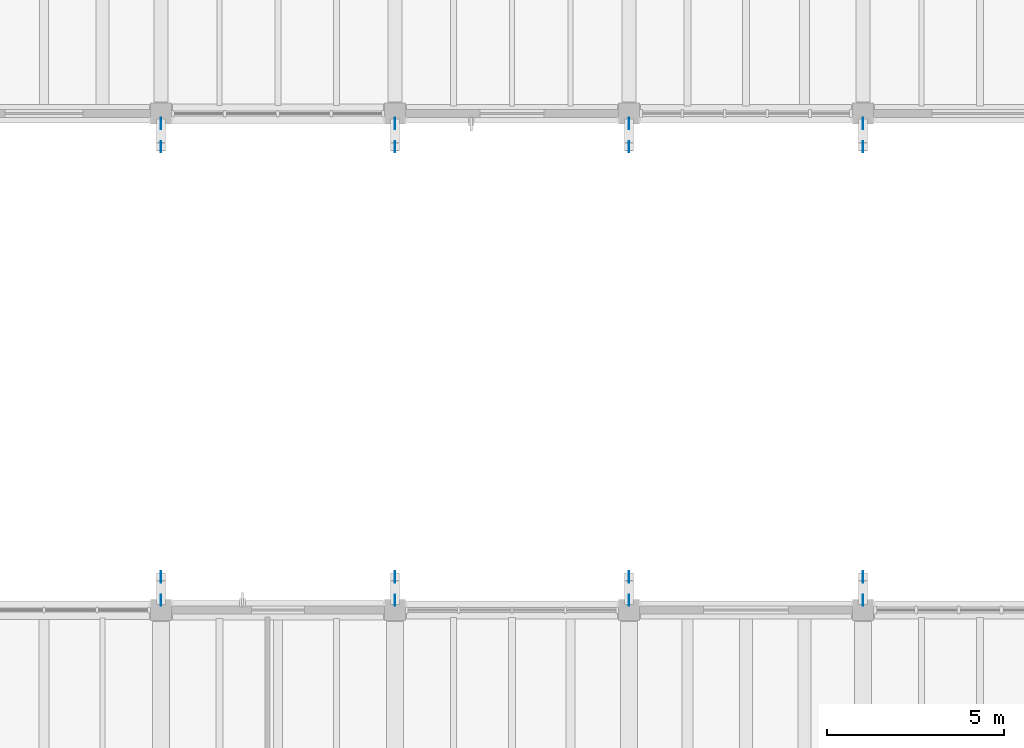
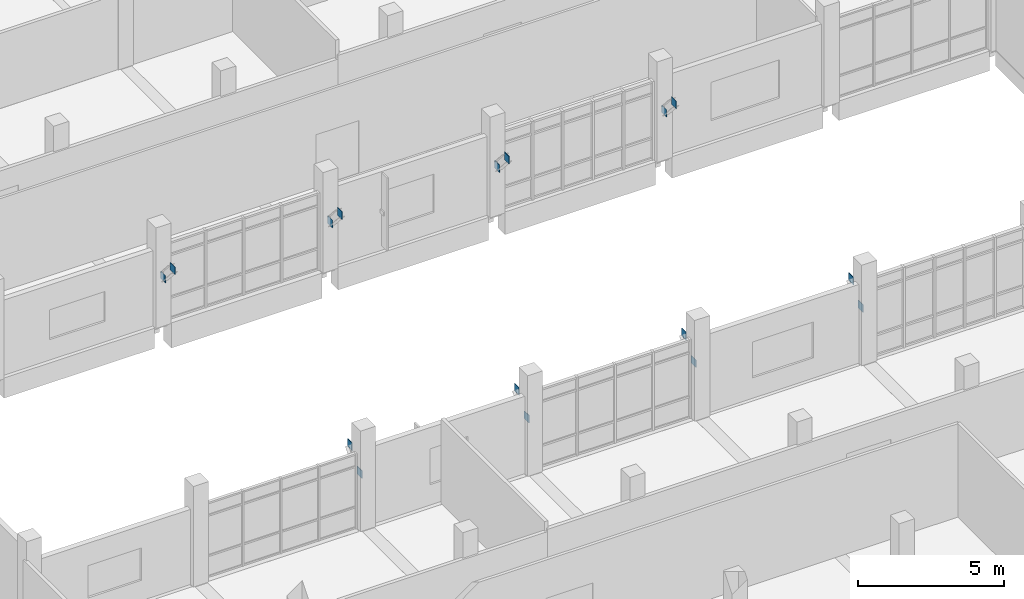
# One storey, part 42 of 68: 16 plates.
"""IFC4 building model written with IfcOpenShell, lengths in metres."""

from ifc_helpers import new_model, si_unit, direction, frame, origin, origin_2d, place, context, subcontext, project, spatial, rectangle, extrude, material, layer, layer_set, type_object, element, save


model = new_model("IFC4")

# Units and contexts
model_context = context("Model", 3, precision=1e-05, world=origin(), true_north=direction((0.0, 1.0)))
body_context = subcontext(model_context, "Body", "Model", "MODEL_VIEW")
ifc_project = project(units=[si_unit("LENGTHUNIT", "METRE"), si_unit("AREAUNIT", "SQUARE_METRE"), si_unit("VOLUMEUNIT", "CUBIC_METRE"), si_unit("PLANEANGLEUNIT", "RADIAN"), si_unit("MASSUNIT", "GRAM", prefix="KILO")], contexts=[model_context])

# Site, building, storey
site_placement = place(None, origin())
site = spatial("IfcSite", under=ifc_project, at=site_placement, CompositionType="ELEMENT")
building_placement = place(site_placement, origin())
building = spatial("IfcBuilding", under=site, at=building_placement, Name="Ciguamira Faculty of Natural Sciences", CompositionType="ELEMENT")
storey_placement = place(building_placement, frame((0.0, 0.0, 4.199951171875)))
storey = spatial("IfcBuildingStorey", under=building, at=storey_placement, Name="L01", CompositionType="ELEMENT", Elevation=4.199951171875)

# Plates
ifc_material = material(Name="Steel ASTM A572 Grade 50", Category="steel")
ifc_layer = layer(ifc_material, 0.02001953125, Name="Steel ASTM A572 Grade 50")
ifc_layer_set = layer_set([ifc_layer], Name="Steel ASTM A572 Grade 50")
plate_type = type_object("IfcPlateType", Name="GussetPlate_EP-02", PredefinedType="SHEET", material=ifc_layer_set)
for number, where, z_axis, x_axis, name in (
    (1, (77.10009765625, 59.27490234375, 1.87451171875), (0.0, 0.0, 1.0), (1.0, 0.0, 0.0), "Link bridge BR-1 s corbel strut plate 1-1"),
    (2, (77.10009765625, 59.93505859375, 2.62451171875), (0.0, 0.0, 1.0), (1.0, 0.0, 0.0), "Link bridge BR-1 s corbel strut plate 1-2"),
    (3, (77.10009765625, 72.72509765625, 1.87451171875), (0.0, 0.0, 1.0), (1.0, 0.0, 0.0), "Link bridge BR-1 n corbel strut plate 1-1"),
    (4, (77.10009765625, 72.06494140625, 2.62451171875), (0.0, 0.0, 1.0), (1.0, 0.0, 0.0), "Link bridge BR-1 n corbel strut plate 1-2"),
    (5, (83.699951171875, 59.27490234375, 1.87451171875), (0.0, 0.0, 1.0), (1.0, 0.0, 0.0), "Link bridge BR-1 s corbel strut plate 2-1"),
    (6, (83.699951171875, 59.93505859375, 2.62451171875), (0.0, 0.0, 1.0), (1.0, 0.0, 0.0), "Link bridge BR-1 s corbel strut plate 2-2"),
    (7, (83.699951171875, 72.72509765625, 1.87451171875), (0.0, 0.0, 1.0), (1.0, 0.0, 0.0), "Link bridge BR-1 n corbel strut plate 2-1"),
    (8, (83.699951171875, 72.06494140625, 2.62451171875), (0.0, 0.0, 1.0), (1.0, 0.0, 0.0), "Link bridge BR-1 n corbel strut plate 2-2"),
    (9, (90.300048828125, 59.27490234375, 1.87451171875), (0.0, 0.0, 1.0), (1.0, 0.0, 0.0), "Link bridge BR-2 s corbel strut plate 1-1"),
    (10, (90.300048828125, 59.93505859375, 2.62451171875), (0.0, 0.0, 1.0), (1.0, 0.0, 0.0), "Link bridge BR-2 s corbel strut plate 1-2"),
    (11, (90.300048828125, 72.72509765625, 1.87451171875), (0.0, 0.0, 1.0), (1.0, 0.0, 0.0), "Link bridge BR-2 n corbel strut plate 1-1"),
    (12, (90.300048828125, 72.06494140625, 2.62451171875), (0.0, 0.0, 1.0), (1.0, 0.0, 0.0), "Link bridge BR-2 n corbel strut plate 1-2"),
    (13, (96.89990234375, 59.27490234375, 1.87451171875), (0.0, 0.0, 1.0), (1.0, 0.0, 0.0), "Link bridge BR-2 s corbel strut plate 2-1"),
    (14, (96.89990234375, 59.93505859375, 2.62451171875), (0.0, 0.0, 1.0), (1.0, 0.0, 0.0), "Link bridge BR-2 s corbel strut plate 2-2"),
    (15, (96.89990234375, 72.72509765625, 1.87451171875), (0.0, 0.0, 1.0), (1.0, 0.0, 0.0), "Link bridge BR-2 n corbel strut plate 2-1"),
    (16, (96.89990234375, 72.06494140625, 2.62451171875), (0.0, 0.0, 1.0), (1.0, 0.0, 0.0), "Link bridge BR-2 n corbel strut plate 2-2"),
):
    element("IfcPlate", number, at=place(storey_placement, frame(where, z_axis=z_axis, x_axis=x_axis)), inside=storey, type_object=plate_type, Name=name, PredefinedType="SHEET", context=body_context, shape_type="SweptSolid", body=[
        extrude(rectangle(XDim=0.02001953125, YDim=0.320068359375, at=origin_2d()), origin(), (0.0, 0.0, 1.0), 0.320068359375),
    ])

save(model, "model.ifc")
